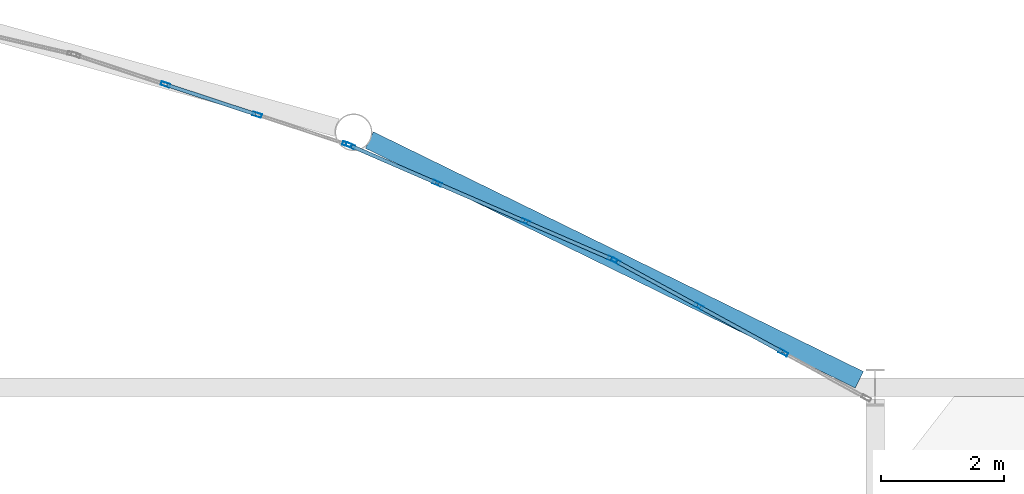
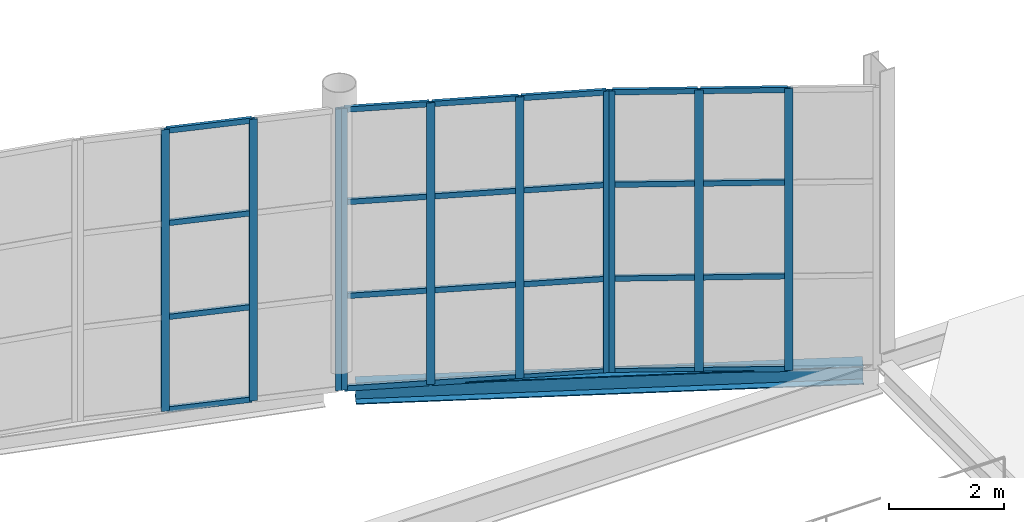
# One storey, part 127 of 191: 34 members, 1 beam, 3 elements without a shape of their own.
"""IFC4 building model written with IfcOpenShell, lengths in metres."""

from ifc_helpers import new_model, si_unit, direction, frame, origin, origin_2d, place, context, subcontext, project, spatial, hollow_rectangle, i_section, extrude, material, layer, layer_set, material_profile, profile_set, type_object, element, aggregate, save


model = new_model("IFC4")

# Units and contexts
model_context = context("Model", 3, precision=1e-05, world=origin(), true_north=direction((0.0, 1.0)))
body_context = subcontext(model_context, "Body", "Model", "MODEL_VIEW")
ifc_project = project(units=[si_unit("LENGTHUNIT", "METRE"), si_unit("AREAUNIT", "SQUARE_METRE"), si_unit("VOLUMEUNIT", "CUBIC_METRE"), si_unit("PLANEANGLEUNIT", "RADIAN"), si_unit("MASSUNIT", "GRAM", prefix="KILO")], contexts=[model_context])

# Site, building, storey
site_placement = place(None, origin())
site = spatial("IfcSite", under=ifc_project, at=site_placement, CompositionType="ELEMENT")
building_placement = place(site_placement, origin())
building = spatial("IfcBuilding", under=site, at=building_placement, Name="Tamarisk Ironworks Central Station", CompositionType="ELEMENT")
storey_placement = place(building_placement, frame((0.0, 0.0, 6.60009765625)))
storey = spatial("IfcBuildingStorey", under=building, at=storey_placement, Name="L01", CompositionType="ELEMENT", Elevation=6.60009765625)

# Beam
ifc_material_1 = material(Name="Structural steel S355J2", Category="steel")
ifc_material_profile_1 = material_profile(ifc_material_1, i_section(OverallWidth=0.300048828125, OverallDepth=0.389892578125, WebThickness=0.010986328125, FlangeThickness=0.01904296875, at=origin_2d()), Name="HEA 400")
ifc_profile_set_1 = profile_set([ifc_material_profile_1], Name="Structural steel S355J2")
beam_type = type_object("IfcBeamType", Name="BM-G07", PredefinedType="BEAM", material=ifc_profile_set_1)
beam_placement = place(storey_placement, frame((99.76708984375, 115.62744140625, -0.5751953125), z_axis=(0.898270064187, -0.439443843723, 0.0), x_axis=(0.439443843723, 0.898270064187, 0.0)))
element("IfcBeam", 1, at=beam_placement, inside=storey, type_object=beam_type, Name="NN rounded nose L01 chord girder 035", PredefinedType="BEAM", context=body_context, shape_type="SweptSolid", body=[
    extrude(i_section(OverallWidth=0.300048828125, OverallDepth=0.389892578125, WebThickness=0.010986328125, FlangeThickness=0.01904296875, at=origin_2d()), origin(), (0.0, 0.0, 1.0), 8.880126953125),
])

# Curtain wall, members
ifc_material_2 = material(Name="Anodized aluminium alloy 6063-T6", Category="aluminium")
ifc_layer = layer(ifc_material_2, 0.179931640625)
ifc_layer_set = layer_set([ifc_layer], Name="Anodized aluminium alloy 6063-T6")
curtain_wall_type = type_object("IfcCurtainWallType", Name="CW-02", PredefinedType="USERDEFINED", material=ifc_layer_set)
curtain_wall_1_placement = place(storey_placement, origin())
curtain_wall_1 = element("IfcCurtainWall", 2, at=curtain_wall_1_placement, inside=storey, type_object=curtain_wall_type, Name="NN rounded entrance hall L01 curtain wall bay 10", ObjectType="GLAZED CURTAIN WALL", PredefinedType="USERDEFINED")
ifc_material_profile_2 = material_profile(ifc_material_2, hollow_rectangle(XDim=0.06005859375, YDim=0.14990234375, WallThickness=0.00341796875, at=origin_2d()), Name="ALUM 150x60")
ifc_profile_set_2 = profile_set([ifc_material_profile_2], Name="Anodized aluminium alloy 6063-T6")
member_type_1 = type_object("IfcMemberType", Name="CWM-03", PredefinedType="MULLION", material=ifc_profile_set_2)
member_1_placement = place(storey_placement, frame((96.449951171875, 116.530517578125, -0.385009765625), z_axis=(0.0, 0.0, 1.0), x_axis=(0.313098460171, 0.949720671692, 0.0)))
member_1 = element("IfcMember", 3, at=member_1_placement, type_object=member_type_1, Name="CW02 mullion 2", PredefinedType="MULLION", context=body_context, shape_type="SweptSolid", body=[
    extrude(hollow_rectangle(XDim=0.06005859375, YDim=0.14990234375, WallThickness=0.00341796875, at=origin_2d()), origin(), (0.0, 0.0, 1.0), 6.0048828125),
])
member_2_placement = place(storey_placement, frame((97.94091796875, 116.038818359375, -0.385009765625), z_axis=(0.0, 0.0, 1.0), x_axis=(0.313098460171, 0.949720671692, 0.0)))
member_2 = element("IfcMember", 4, at=member_2_placement, type_object=member_type_1, Name="CW02 mullion 3", PredefinedType="MULLION", context=body_context, shape_type="SweptSolid", body=[
    extrude(hollow_rectangle(XDim=0.06005859375, YDim=0.14990234375, WallThickness=0.00341796875, at=origin_2d()), origin(), (0.0, 0.0, 1.0), 6.0048828125),
])
member_3_placement = place(storey_placement, frame((99.4033203125, 115.556884765625, -0.385009765625), z_axis=(0.0, 0.0, 1.0), x_axis=(0.313098460171, 0.949720671692, 0.0)))
member_3 = element("IfcMember", 5, at=member_3_placement, type_object=member_type_1, Name="CW02 mullion 4", PredefinedType="MULLION", context=body_context, shape_type="SweptSolid", body=[
    extrude(hollow_rectangle(XDim=0.06005859375, YDim=0.14990234375, WallThickness=0.00341796875, at=origin_2d()), origin(), (0.0, 0.0, 1.0), 6.0048828125),
])

curtain_wall_2_placement = place(storey_placement, origin())
curtain_wall_2 = element("IfcCurtainWall", 6, at=curtain_wall_2_placement, inside=storey, type_object=curtain_wall_type, Name="NN rounded entrance hall L01 curtain wall bay 11", ObjectType="GLAZED CURTAIN WALL", PredefinedType="USERDEFINED")
member_4_placement = place(storey_placement, frame((99.459228515625, 115.535400390625, -0.385009765625), z_axis=(0.0, 0.0, 1.0), x_axis=(0.398076935564, 0.917352033503, 0.0)))
member_4 = element("IfcMember", 7, at=member_4_placement, type_object=member_type_1, Name="CW02 mullion 1", PredefinedType="MULLION", context=body_context, shape_type="SweptSolid", body=[
    extrude(hollow_rectangle(XDim=0.06005859375, YDim=0.14990234375, WallThickness=0.00341796875, at=origin_2d()), origin(), (0.0, 0.0, 1.0), 6.0048828125),
])
member_5_placement = place(storey_placement, frame((100.871826171875, 114.92236328125, -0.385009765625), z_axis=(0.0, 0.0, 1.0), x_axis=(0.398076935564, 0.917352033503, 0.0)))
member_5 = element("IfcMember", 8, at=member_5_placement, type_object=member_type_1, Name="CW02 mullion 2", PredefinedType="MULLION", context=body_context, shape_type="SweptSolid", body=[
    extrude(hollow_rectangle(XDim=0.06005859375, YDim=0.14990234375, WallThickness=0.00341796875, at=origin_2d()), origin(), (0.0, 0.0, 1.0), 6.0048828125),
])
member_6_placement = place(storey_placement, frame((102.31201171875, 114.297607421875, -0.385009765625), z_axis=(0.0, 0.0, 1.0), x_axis=(0.398076935564, 0.917352033503, 0.0)))
member_6 = element("IfcMember", 9, at=member_6_placement, type_object=member_type_1, Name="CW02 mullion 3", PredefinedType="MULLION", context=body_context, shape_type="SweptSolid", body=[
    extrude(hollow_rectangle(XDim=0.06005859375, YDim=0.14990234375, WallThickness=0.00341796875, at=origin_2d()), origin(), (0.0, 0.0, 1.0), 6.0048828125),
])
member_7_placement = place(storey_placement, frame((103.724609375, 113.6845703125, -0.385009765625), z_axis=(0.0, 0.0, 1.0), x_axis=(0.398076935564, 0.917352033503, 0.0)))
member_7 = element("IfcMember", 10, at=member_7_placement, type_object=member_type_1, Name="CW02 mullion 4", PredefinedType="MULLION", context=body_context, shape_type="SweptSolid", body=[
    extrude(hollow_rectangle(XDim=0.06005859375, YDim=0.14990234375, WallThickness=0.00341796875, at=origin_2d()), origin(), (0.0, 0.0, 1.0), 6.0048828125),
])

curtain_wall_3_placement = place(storey_placement, origin())
curtain_wall_3 = element("IfcCurtainWall", 11, at=curtain_wall_3_placement, inside=storey, type_object=curtain_wall_type, Name="NN rounded entrance hall L01 curtain wall bay 12", ObjectType="GLAZED CURTAIN WALL", PredefinedType="USERDEFINED")
member_8_placement = place(storey_placement, frame((103.778564453125, 113.658203125, -0.385009765625), z_axis=(0.0, 0.0, 1.0), x_axis=(0.47980544644, 0.877374910495, 0.0)))
member_8 = element("IfcMember", 12, at=member_8_placement, type_object=member_type_1, Name="CW02 mullion 1", PredefinedType="MULLION", context=body_context, shape_type="SweptSolid", body=[
    extrude(hollow_rectangle(XDim=0.06005859375, YDim=0.14990234375, WallThickness=0.00341796875, at=origin_2d()), origin(), (0.0, 0.0, 1.0), 6.0048828125),
])
member_9_placement = place(storey_placement, frame((105.129638671875, 112.91943359375, -0.385009765625), z_axis=(0.0, 0.0, 1.0), x_axis=(0.47980544644, 0.877374910495, 0.0)))
member_9 = element("IfcMember", 13, at=member_9_placement, type_object=member_type_1, Name="CW02 mullion 2", PredefinedType="MULLION", context=body_context, shape_type="SweptSolid", body=[
    extrude(hollow_rectangle(XDim=0.06005859375, YDim=0.14990234375, WallThickness=0.00341796875, at=origin_2d()), origin(), (0.0, 0.0, 1.0), 6.0048828125),
])
member_10_placement = place(storey_placement, frame((106.5068359375, 112.166015625, -0.385009765625), z_axis=(0.0, 0.0, 1.0), x_axis=(0.47980544644, 0.877374910495, 0.0)))
member_10 = element("IfcMember", 14, at=member_10_placement, type_object=member_type_1, Name="CW02 mullion 3", PredefinedType="MULLION", context=body_context, shape_type="SweptSolid", body=[
    extrude(hollow_rectangle(XDim=0.06005859375, YDim=0.14990234375, WallThickness=0.00341796875, at=origin_2d()), origin(), (0.0, 0.0, 1.0), 6.0048828125),
])

# Member
ifc_material_profile_3 = material_profile(ifc_material_2, hollow_rectangle(XDim=0.06005859375, YDim=0.114990234375, WallThickness=0.00341796875, at=origin_2d()), Name="ALUM 115x60")
ifc_profile_set_3 = profile_set([ifc_material_profile_3], Name="Anodized aluminium alloy 6063-T6")
member_type_2 = type_object("IfcMemberType", Name="CWT-03", PredefinedType="USERDEFINED", material=ifc_profile_set_3)
member_11_placement = place(storey_placement, frame((96.474609375, 116.522216796875, -0.35498046875), z_axis=(0.949755412213, -0.312993062179, 0.0), x_axis=(0.312993062179, 0.949755412213, 0.0)))
member_11 = element("IfcMember", 15, at=member_11_placement, type_object=member_type_2, Name="CW02 transom 2.1", ObjectType="TRANSOM", PredefinedType="USERDEFINED", context=body_context, shape_type="SweptSolid", body=[
    extrude(hollow_rectangle(XDim=0.06005859375, YDim=0.114990234375, WallThickness=0.00341796875, at=origin_2d()), origin(), (0.0, 0.0, 1.0), 1.517822265625),
])

member_12_placement = place(storey_placement, frame((96.474609375, 116.522216796875, 1.61669921875), z_axis=(0.949755412213, -0.312993062179, 0.0), x_axis=(0.312993062179, 0.949755412213, 0.0)))
member_12 = element("IfcMember", 16, at=member_12_placement, type_object=member_type_2, Name="CW02 transom 2.2", ObjectType="TRANSOM", PredefinedType="USERDEFINED", context=body_context, shape_type="SweptSolid", body=[
    extrude(hollow_rectangle(XDim=0.06005859375, YDim=0.114990234375, WallThickness=0.00341796875, at=origin_2d()), origin(), (0.0, 0.0, 1.0), 1.517822265625),
])

member_13_placement = place(storey_placement, frame((96.474609375, 116.522216796875, 3.6181640625), z_axis=(0.949755412213, -0.312993062179, 0.0), x_axis=(0.312993062179, 0.949755412213, 0.0)))
member_13 = element("IfcMember", 17, at=member_13_placement, type_object=member_type_2, Name="CW02 transom 2.3", ObjectType="TRANSOM", PredefinedType="USERDEFINED", context=body_context, shape_type="SweptSolid", body=[
    extrude(hollow_rectangle(XDim=0.06005859375, YDim=0.114990234375, WallThickness=0.00341796875, at=origin_2d()), origin(), (0.0, 0.0, 1.0), 1.517822265625),
])

member_14_placement = place(storey_placement, frame((96.474609375, 116.522216796875, 5.58984375), z_axis=(0.949755412213, -0.312993062179, 0.0), x_axis=(0.312993062179, 0.949755412213, 0.0)))
member_14 = element("IfcMember", 18, at=member_14_placement, type_object=member_type_2, Name="CW02 transom 2.4", ObjectType="TRANSOM", PredefinedType="USERDEFINED", context=body_context, shape_type="SweptSolid", body=[
    extrude(hollow_rectangle(XDim=0.06005859375, YDim=0.114990234375, WallThickness=0.00341796875, at=origin_2d()), origin(), (0.0, 0.0, 1.0), 1.517822265625),
])

aggregate(curtain_wall_1, [member_1, member_2, member_3, member_11, member_12, member_13, member_14])

member_15_placement = place(storey_placement, frame((99.483154296875, 115.525146484375, -0.35498046875), z_axis=(0.91736196863, -0.398054039688, 0.0), x_axis=(0.398054039688, 0.91736196863, 0.0)))
member_15 = element("IfcMember", 19, at=member_15_placement, type_object=member_type_2, Name="CW02 transom 1.1", ObjectType="TRANSOM", PredefinedType="USERDEFINED", context=body_context, shape_type="SweptSolid", body=[
    extrude(hollow_rectangle(XDim=0.06005859375, YDim=0.114990234375, WallThickness=0.00341796875, at=origin_2d()), origin(), (0.0, 0.0, 1.0), 1.488037109375),
])

member_16_placement = place(storey_placement, frame((99.483154296875, 115.525146484375, 1.61669921875), z_axis=(0.91736196863, -0.398054039688, 0.0), x_axis=(0.398054039688, 0.91736196863, 0.0)))
member_16 = element("IfcMember", 20, at=member_16_placement, type_object=member_type_2, Name="CW02 transom 1.2", ObjectType="TRANSOM", PredefinedType="USERDEFINED", context=body_context, shape_type="SweptSolid", body=[
    extrude(hollow_rectangle(XDim=0.06005859375, YDim=0.114990234375, WallThickness=0.00341796875, at=origin_2d()), origin(), (0.0, 0.0, 1.0), 1.488037109375),
])

member_17_placement = place(storey_placement, frame((99.483154296875, 115.525146484375, 3.6181640625), z_axis=(0.91736196863, -0.398054039688, 0.0), x_axis=(0.398054039688, 0.91736196863, 0.0)))
member_17 = element("IfcMember", 21, at=member_17_placement, type_object=member_type_2, Name="CW02 transom 1.3", ObjectType="TRANSOM", PredefinedType="USERDEFINED", context=body_context, shape_type="SweptSolid", body=[
    extrude(hollow_rectangle(XDim=0.06005859375, YDim=0.114990234375, WallThickness=0.00341796875, at=origin_2d()), origin(), (0.0, 0.0, 1.0), 1.488037109375),
])

member_18_placement = place(storey_placement, frame((99.483154296875, 115.525146484375, 5.58984375), z_axis=(0.91736196863, -0.398054039688, 0.0), x_axis=(0.398054039688, 0.91736196863, 0.0)))
member_18 = element("IfcMember", 22, at=member_18_placement, type_object=member_type_2, Name="CW02 transom 1.4", ObjectType="TRANSOM", PredefinedType="USERDEFINED", context=body_context, shape_type="SweptSolid", body=[
    extrude(hollow_rectangle(XDim=0.06005859375, YDim=0.114990234375, WallThickness=0.00341796875, at=origin_2d()), origin(), (0.0, 0.0, 1.0), 1.488037109375),
])

member_19_placement = place(storey_placement, frame((100.895751953125, 114.912109375, -0.35498046875), z_axis=(0.917363848838, -0.3980497065, 0.0), x_axis=(0.3980497065, 0.917363848838, 0.0)))
member_19 = element("IfcMember", 23, at=member_19_placement, type_object=member_type_2, Name="CW02 transom 2.1", ObjectType="TRANSOM", PredefinedType="USERDEFINED", context=body_context, shape_type="SweptSolid", body=[
    extrude(hollow_rectangle(XDim=0.06005859375, YDim=0.114990234375, WallThickness=0.00341796875, at=origin_2d()), origin(), (0.0, 0.0, 1.0), 1.51806640625),
])

member_20_placement = place(storey_placement, frame((100.895751953125, 114.912109375, 1.61669921875), z_axis=(0.917363848838, -0.3980497065, 0.0), x_axis=(0.3980497065, 0.917363848838, 0.0)))
member_20 = element("IfcMember", 24, at=member_20_placement, type_object=member_type_2, Name="CW02 transom 2.2", ObjectType="TRANSOM", PredefinedType="USERDEFINED", context=body_context, shape_type="SweptSolid", body=[
    extrude(hollow_rectangle(XDim=0.06005859375, YDim=0.114990234375, WallThickness=0.00341796875, at=origin_2d()), origin(), (0.0, 0.0, 1.0), 1.51806640625),
])

member_21_placement = place(storey_placement, frame((100.895751953125, 114.912109375, 3.6181640625), z_axis=(0.917363848838, -0.3980497065, 0.0), x_axis=(0.3980497065, 0.917363848838, 0.0)))
member_21 = element("IfcMember", 25, at=member_21_placement, type_object=member_type_2, Name="CW02 transom 2.3", ObjectType="TRANSOM", PredefinedType="USERDEFINED", context=body_context, shape_type="SweptSolid", body=[
    extrude(hollow_rectangle(XDim=0.06005859375, YDim=0.114990234375, WallThickness=0.00341796875, at=origin_2d()), origin(), (0.0, 0.0, 1.0), 1.51806640625),
])

member_22_placement = place(storey_placement, frame((100.895751953125, 114.912109375, 5.58984375), z_axis=(0.917363848838, -0.3980497065, 0.0), x_axis=(0.3980497065, 0.917363848838, 0.0)))
member_22 = element("IfcMember", 26, at=member_22_placement, type_object=member_type_2, Name="CW02 transom 2.4", ObjectType="TRANSOM", PredefinedType="USERDEFINED", context=body_context, shape_type="SweptSolid", body=[
    extrude(hollow_rectangle(XDim=0.06005859375, YDim=0.114990234375, WallThickness=0.00341796875, at=origin_2d()), origin(), (0.0, 0.0, 1.0), 1.51806640625),
])

member_23_placement = place(storey_placement, frame((102.3359375, 114.287109375, -0.35498046875), z_axis=(0.91736196863, -0.398054039688, 0.0), x_axis=(0.398054039688, 0.91736196863, 0.0)))
member_23 = element("IfcMember", 27, at=member_23_placement, type_object=member_type_2, Name="CW02 transom 3.1", ObjectType="TRANSOM", PredefinedType="USERDEFINED", context=body_context, shape_type="SweptSolid", body=[
    extrude(hollow_rectangle(XDim=0.06005859375, YDim=0.114990234375, WallThickness=0.00341796875, at=origin_2d()), origin(), (0.0, 0.0, 1.0), 1.488037109375),
])

member_24_placement = place(storey_placement, frame((102.3359375, 114.287109375, 1.61669921875), z_axis=(0.91736196863, -0.398054039688, 0.0), x_axis=(0.398054039688, 0.91736196863, 0.0)))
member_24 = element("IfcMember", 28, at=member_24_placement, type_object=member_type_2, Name="CW02 transom 3.2", ObjectType="TRANSOM", PredefinedType="USERDEFINED", context=body_context, shape_type="SweptSolid", body=[
    extrude(hollow_rectangle(XDim=0.06005859375, YDim=0.114990234375, WallThickness=0.00341796875, at=origin_2d()), origin(), (0.0, 0.0, 1.0), 1.488037109375),
])

member_25_placement = place(storey_placement, frame((102.3359375, 114.287109375, 3.6181640625), z_axis=(0.91736196863, -0.398054039688, 0.0), x_axis=(0.398054039688, 0.91736196863, 0.0)))
member_25 = element("IfcMember", 29, at=member_25_placement, type_object=member_type_2, Name="CW02 transom 3.3", ObjectType="TRANSOM", PredefinedType="USERDEFINED", context=body_context, shape_type="SweptSolid", body=[
    extrude(hollow_rectangle(XDim=0.06005859375, YDim=0.114990234375, WallThickness=0.00341796875, at=origin_2d()), origin(), (0.0, 0.0, 1.0), 1.488037109375),
])

member_26_placement = place(storey_placement, frame((102.3359375, 114.287109375, 5.58984375), z_axis=(0.91736196863, -0.398054039688, 0.0), x_axis=(0.398054039688, 0.91736196863, 0.0)))
member_26 = element("IfcMember", 30, at=member_26_placement, type_object=member_type_2, Name="CW02 transom 3.4", ObjectType="TRANSOM", PredefinedType="USERDEFINED", context=body_context, shape_type="SweptSolid", body=[
    extrude(hollow_rectangle(XDim=0.06005859375, YDim=0.114990234375, WallThickness=0.00341796875, at=origin_2d()), origin(), (0.0, 0.0, 1.0), 1.488037109375),
])

aggregate(curtain_wall_2, [member_4, member_5, member_6, member_7, member_15, member_16, member_17, member_18, member_19, member_20, member_21, member_22, member_23, member_24, member_25, member_26])

member_27_placement = place(storey_placement, frame((103.80126953125, 113.645751953125, -0.35498046875), z_axis=(0.877380853309, -0.479794579217, 0.0), x_axis=(0.479794579217, 0.877380853309, 0.0)))
member_27 = element("IfcMember", 31, at=member_27_placement, type_object=member_type_2, Name="CW02 transom 1.1", ObjectType="TRANSOM", PredefinedType="USERDEFINED", context=body_context, shape_type="SweptSolid", body=[
    extrude(hollow_rectangle(XDim=0.06005859375, YDim=0.114990234375, WallThickness=0.00341796875, at=origin_2d()), origin(), (0.0, 0.0, 1.0), 1.48779296875),
])

member_28_placement = place(storey_placement, frame((103.80126953125, 113.645751953125, 1.61669921875), z_axis=(0.877380853309, -0.479794579217, 0.0), x_axis=(0.479794579217, 0.877380853309, 0.0)))
member_28 = element("IfcMember", 32, at=member_28_placement, type_object=member_type_2, Name="CW02 transom 1.2", ObjectType="TRANSOM", PredefinedType="USERDEFINED", context=body_context, shape_type="SweptSolid", body=[
    extrude(hollow_rectangle(XDim=0.06005859375, YDim=0.114990234375, WallThickness=0.00341796875, at=origin_2d()), origin(), (0.0, 0.0, 1.0), 1.48779296875),
])

member_29_placement = place(storey_placement, frame((103.80126953125, 113.645751953125, 3.6181640625), z_axis=(0.877380853309, -0.479794579217, 0.0), x_axis=(0.479794579217, 0.877380853309, 0.0)))
member_29 = element("IfcMember", 33, at=member_29_placement, type_object=member_type_2, Name="CW02 transom 1.3", ObjectType="TRANSOM", PredefinedType="USERDEFINED", context=body_context, shape_type="SweptSolid", body=[
    extrude(hollow_rectangle(XDim=0.06005859375, YDim=0.114990234375, WallThickness=0.00341796875, at=origin_2d()), origin(), (0.0, 0.0, 1.0), 1.48779296875),
])

member_30_placement = place(storey_placement, frame((103.80126953125, 113.645751953125, 5.58984375), z_axis=(0.877380853309, -0.479794579217, 0.0), x_axis=(0.479794579217, 0.877380853309, 0.0)))
member_30 = element("IfcMember", 34, at=member_30_placement, type_object=member_type_2, Name="CW02 transom 1.4", ObjectType="TRANSOM", PredefinedType="USERDEFINED", context=body_context, shape_type="SweptSolid", body=[
    extrude(hollow_rectangle(XDim=0.06005859375, YDim=0.114990234375, WallThickness=0.00341796875, at=origin_2d()), origin(), (0.0, 0.0, 1.0), 1.48779296875),
])

member_31_placement = place(storey_placement, frame((105.15234375, 112.906982421875, -0.35498046875), z_axis=(0.877384892702, -0.479787192471, 0.0), x_axis=(0.479787192471, 0.877384892702, 0.0)))
member_31 = element("IfcMember", 35, at=member_31_placement, type_object=member_type_2, Name="CW02 transom 2.1", ObjectType="TRANSOM", PredefinedType="USERDEFINED", context=body_context, shape_type="SweptSolid", body=[
    extrude(hollow_rectangle(XDim=0.06005859375, YDim=0.114990234375, WallThickness=0.00341796875, at=origin_2d()), origin(), (0.0, 0.0, 1.0), 1.517822265625),
])

member_32_placement = place(storey_placement, frame((105.15234375, 112.906982421875, 1.61669921875), z_axis=(0.877384892702, -0.479787192471, 0.0), x_axis=(0.479787192471, 0.877384892702, 0.0)))
member_32 = element("IfcMember", 36, at=member_32_placement, type_object=member_type_2, Name="CW02 transom 2.2", ObjectType="TRANSOM", PredefinedType="USERDEFINED", context=body_context, shape_type="SweptSolid", body=[
    extrude(hollow_rectangle(XDim=0.06005859375, YDim=0.114990234375, WallThickness=0.00341796875, at=origin_2d()), origin(), (0.0, 0.0, 1.0), 1.517822265625),
])

member_33_placement = place(storey_placement, frame((105.15234375, 112.906982421875, 3.6181640625), z_axis=(0.877384892702, -0.479787192471, 0.0), x_axis=(0.479787192471, 0.877384892702, 0.0)))
member_33 = element("IfcMember", 37, at=member_33_placement, type_object=member_type_2, Name="CW02 transom 2.3", ObjectType="TRANSOM", PredefinedType="USERDEFINED", context=body_context, shape_type="SweptSolid", body=[
    extrude(hollow_rectangle(XDim=0.06005859375, YDim=0.114990234375, WallThickness=0.00341796875, at=origin_2d()), origin(), (0.0, 0.0, 1.0), 1.517822265625),
])

member_34_placement = place(storey_placement, frame((105.15234375, 112.906982421875, 5.58984375), z_axis=(0.877384892702, -0.479787192471, 0.0), x_axis=(0.479787192471, 0.877384892702, 0.0)))
member_34 = element("IfcMember", 38, at=member_34_placement, type_object=member_type_2, Name="CW02 transom 2.4", ObjectType="TRANSOM", PredefinedType="USERDEFINED", context=body_context, shape_type="SweptSolid", body=[
    extrude(hollow_rectangle(XDim=0.06005859375, YDim=0.114990234375, WallThickness=0.00341796875, at=origin_2d()), origin(), (0.0, 0.0, 1.0), 1.517822265625),
])

aggregate(curtain_wall_3, [member_8, member_9, member_10, member_27, member_28, member_29, member_30, member_31, member_32, member_33, member_34])

save(model, "model.ifc")
